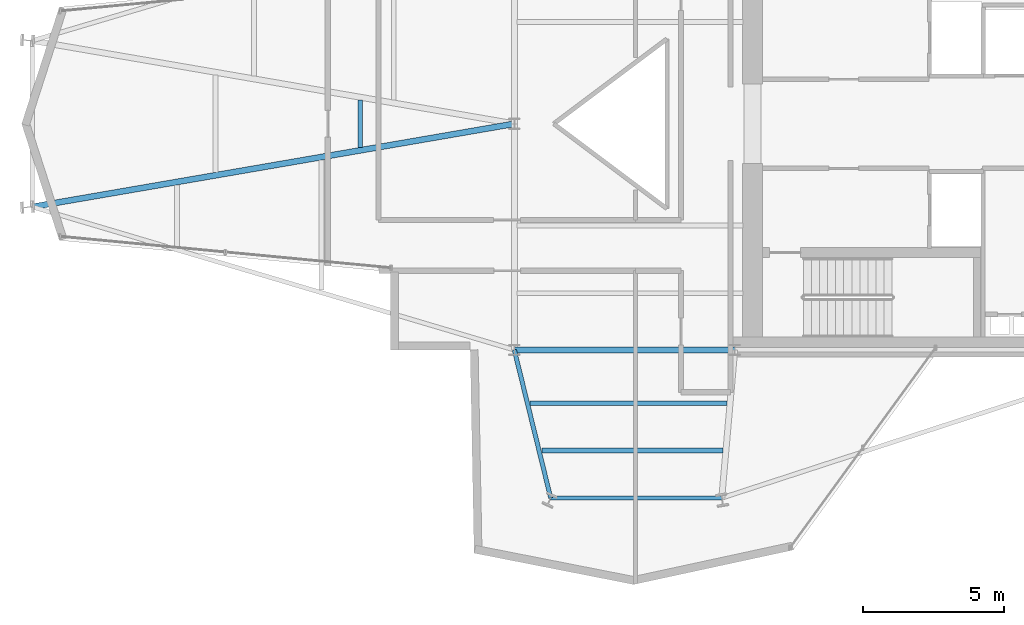
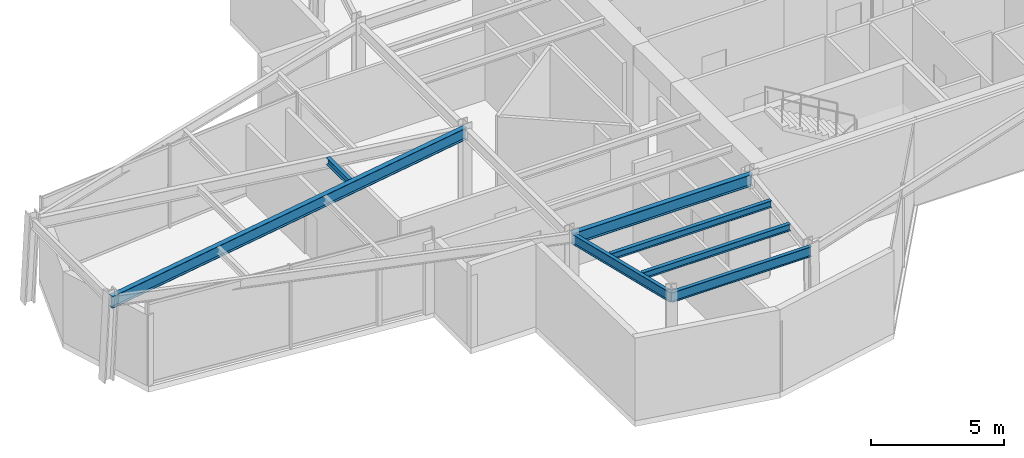
# One storey, part 5 of 21: 7 beams.
"""IFC4 building model written with IfcOpenShell, lengths in metres."""

from ifc_helpers import new_model, si_unit, direction, frame, origin, origin_2d, place, context, subcontext, project, spatial, i_section, extrude, material, material_profile, profile_set, type_object, element, save


model = new_model("IFC4")

# Units and contexts
model_context = context("Model", 3, precision=1e-05, world=origin(), true_north=direction((0.0, 1.0)))
body_context = subcontext(model_context, "Body", "Model", "MODEL_VIEW")
ifc_project = project(units=[si_unit("LENGTHUNIT", "METRE"), si_unit("AREAUNIT", "SQUARE_METRE"), si_unit("VOLUMEUNIT", "CUBIC_METRE"), si_unit("PLANEANGLEUNIT", "RADIAN"), si_unit("MASSUNIT", "GRAM", prefix="KILO")], contexts=[model_context])

# Site, building, storey
site_placement = place(None, origin())
site = spatial("IfcSite", under=ifc_project, at=site_placement, CompositionType="ELEMENT")
building_placement = place(site_placement, origin())
building = spatial("IfcBuilding", under=site, at=building_placement, Name="Veymaron Broadcast Tower", CompositionType="ELEMENT")
storey_placement = place(building_placement, frame((0.0, 0.0, 232.35009765625)))
storey = spatial("IfcBuildingStorey", under=building, at=storey_placement, Name="L54", CompositionType="ELEMENT", Elevation=232.35009765625)

# Beams
ifc_material = material(Name="Structural steel ASTM A992 Gr 50", Category="steel")
ifc_material_profile_1 = material_profile(ifc_material, i_section(OverallWidth=0.2099609375, OverallDepth=0.537109375, WebThickness=0.010986328125, FlangeThickness=0.017333984375, at=origin_2d()), Name="W530X101")
ifc_profile_set_1 = profile_set([ifc_material_profile_1], Name="Structural steel ASTM A992 Gr 50")
beam_type_1 = type_object("IfcBeamType", Name="BM-FG3", PredefinedType="BEAM", material=ifc_profile_set_1)
beam_1_placement = place(storey_placement, frame((31.199951171875, 16.0, 3.521484375), z_axis=(1.0, 0.0, 0.0), x_axis=(0.0, 1.0, 0.0)))
element("IfcBeam", 1, at=beam_1_placement, inside=storey, type_object=beam_type_1, Name="L54 primary structural floor girder", PredefinedType="BEAM", context=body_context, shape_type="SweptSolid", body=[
    extrude(i_section(OverallWidth=0.2099609375, OverallDepth=0.537109375, WebThickness=0.010986328125, FlangeThickness=0.017333984375, at=origin_2d()), origin(), (0.0, 0.0, 1.0), 7.800048828125),
])
beam_2_placement = place(storey_placement, frame((14.14794921875, 21.06005859375, 3.521484375), z_axis=(0.985460685974, 0.169903609142, 0.0), x_axis=(-0.169903609142, 0.985460685974, 0.0)))
element("IfcBeam", 2, at=beam_2_placement, inside=storey, type_object=beam_type_1, Name="L54 primary structural floor girder", PredefinedType="BEAM", context=body_context, shape_type="SweptSolid", body=[
    extrude(i_section(OverallWidth=0.2099609375, OverallDepth=0.537109375, WebThickness=0.010986328125, FlangeThickness=0.017333984375, at=origin_2d()), origin(), (0.0, 0.0, 1.0), 17.303466796875),
])
ifc_material_profile_2 = material_profile(ifc_material, i_section(OverallWidth=0.1650390625, OverallDepth=0.31005859375, WebThickness=0.005859375, FlangeThickness=0.009765625, at=origin_2d()), Name="W310X39")
ifc_profile_set_2 = profile_set([ifc_material_profile_2], Name="Structural steel ASTM A992 Gr 50")
beam_type_2 = type_object("IfcBeamType", Name="BM-JS3", PredefinedType="JOIST", material=ifc_profile_set_2)
beam_3_placement = place(storey_placement, frame((25.743408203125, 23.1591796875, 3.635009765625), z_axis=(0.0, 1.0, 0.0), x_axis=(-1.0, 0.0, 0.0)))
element("IfcBeam", 3, at=beam_3_placement, inside=storey, type_object=beam_type_2, Name="L54 Arm-A secondary joist 2M", PredefinedType="JOIST", context=body_context, shape_type="SweptSolid", body=[
    extrude(i_section(OverallWidth=0.1650390625, OverallDepth=0.31005859375, WebThickness=0.005859375, FlangeThickness=0.009765625, at=origin_2d()), origin(), (0.0, 0.0, 1.0), 1.681640625),
])
beam_4_placement = place(storey_placement, frame((31.763671875, 14.113525390625, 3.635009765625), z_axis=(1.0, 0.0, 0.0), x_axis=(0.0, 1.0, 0.0)))
element("IfcBeam", 4, at=beam_4_placement, inside=storey, type_object=beam_type_2, Name="L54 Arm-C secondary joist 1", PredefinedType="JOIST", context=body_context, shape_type="SweptSolid", body=[
    extrude(i_section(OverallWidth=0.1650390625, OverallDepth=0.31005859375, WebThickness=0.005859375, FlangeThickness=0.009765625, at=origin_2d()), origin(), (0.0, 0.0, 1.0), 6.970703125),
])
beam_5_placement = place(storey_placement, frame((32.17578125, 12.436767578125, 3.635009765625), z_axis=(1.0, 0.0, 0.0), x_axis=(0.0, 1.0, 0.0)))
element("IfcBeam", 5, at=beam_5_placement, inside=storey, type_object=beam_type_2, Name="L54 Arm-C secondary joist 2", PredefinedType="JOIST", context=body_context, shape_type="SweptSolid", body=[
    extrude(i_section(OverallWidth=0.1650390625, OverallDepth=0.31005859375, WebThickness=0.005859375, FlangeThickness=0.009765625, at=origin_2d()), origin(), (0.0, 0.0, 1.0), 6.411376953125),
])
ifc_material_profile_3 = material_profile(ifc_material, i_section(OverallWidth=0.154052734375, OverallDepth=0.458984375, WebThickness=0.009033203125, FlangeThickness=0.015380859375, at=origin_2d()), Name="W460X68")
ifc_profile_set_3 = profile_set([ifc_material_profile_3], Name="Structural steel ASTM A992 Gr 50")
beam_type_3 = type_object("IfcBeamType", Name="BM-SP2", PredefinedType="SPANDREL", material=ifc_profile_set_3)
beam_6_placement = place(storey_placement, frame((31.199951171875, 16.0, 3.560302734375), z_axis=(0.238711883044, -0.971090437031, 0.0), x_axis=(0.971090437031, 0.238711883044, 0.0)))
element("IfcBeam", 6, at=beam_6_placement, inside=storey, type_object=beam_type_3, Name="L54 primary structural floor girder", PredefinedType="SPANDREL", context=body_context, shape_type="SweptSolid", body=[
    extrude(i_section(OverallWidth=0.154052734375, OverallDepth=0.458984375, WebThickness=0.009033203125, FlangeThickness=0.015380859375, at=origin_2d()), origin(), (0.0, 0.0, 1.0), 5.39599609375),
])
beam_7_placement = place(storey_placement, frame((32.488037109375, 10.760009765625, 3.560302734375), z_axis=(1.0, 0.0, 0.0), x_axis=(0.0, 1.0, 0.0)))
element("IfcBeam", 7, at=beam_7_placement, inside=storey, type_object=beam_type_3, Name="L54 primary structural floor girder", PredefinedType="SPANDREL", context=body_context, shape_type="SweptSolid", body=[
    extrude(i_section(OverallWidth=0.154052734375, OverallDepth=0.458984375, WebThickness=0.009033203125, FlangeThickness=0.015380859375, at=origin_2d()), origin(), (0.0, 0.0, 1.0), 6.052001953125),
])

save(model, "model.ifc")
